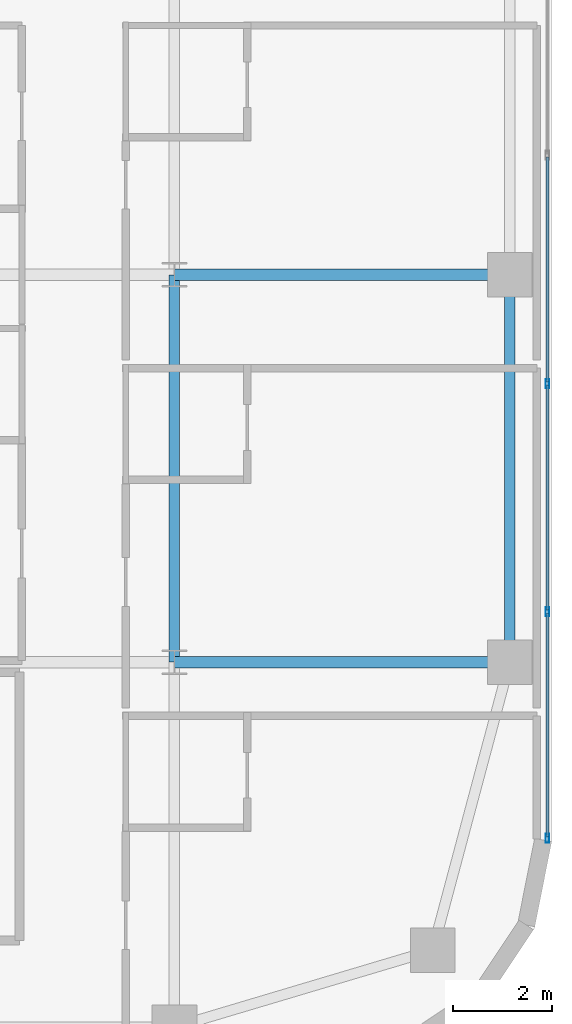
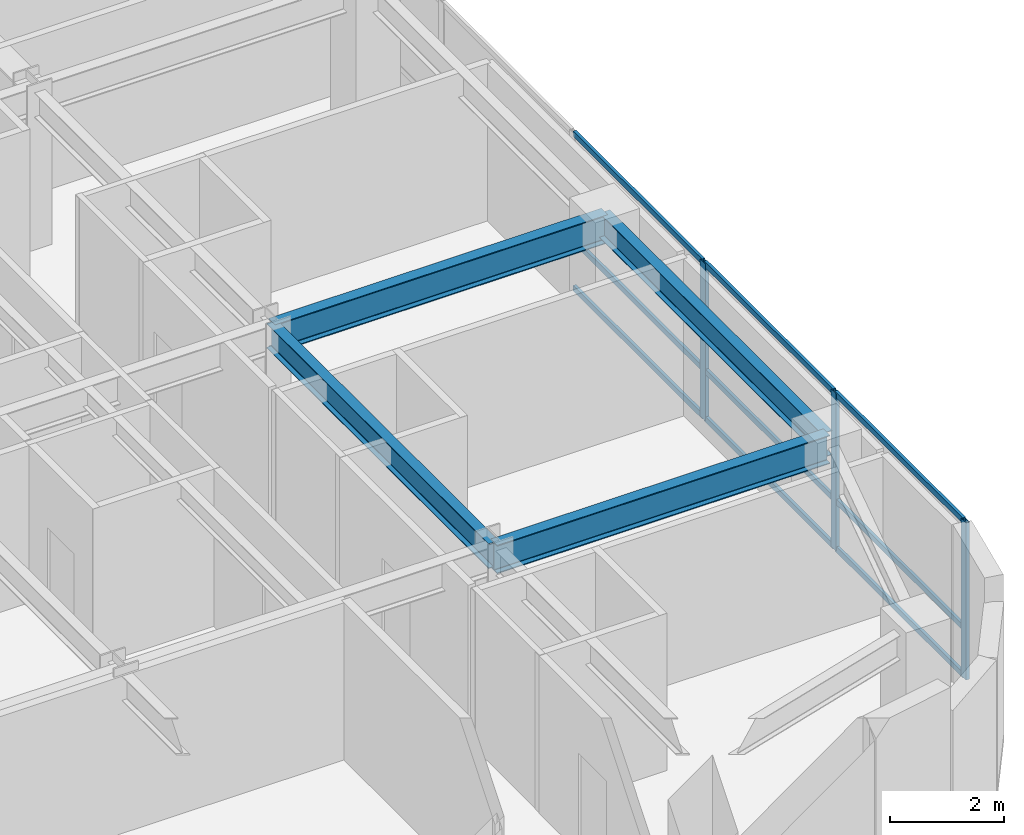
# One storey, part 9 of 25: 12 members, 4 beams, 1 element without a shape of its own.
"""IFC4 building model written with IfcOpenShell, lengths in metres."""

from ifc_helpers import new_model, si_unit, direction, frame, origin, origin_2d, place, context, subcontext, project, spatial, hollow_rectangle, i_section, extrude, source, transform, mapped, material, layer, layer_set, material_profile, profile_set, type_object, type_shapes, element, aggregate, save


model = new_model("IFC4")

# Units and contexts
model_context = context("Model", 3, precision=1e-05, world=origin(), true_north=direction((0.0, 1.0)))
body_context = subcontext(model_context, "Body", "Model", "MODEL_VIEW")
ifc_project = project(units=[si_unit("LENGTHUNIT", "METRE"), si_unit("AREAUNIT", "SQUARE_METRE"), si_unit("VOLUMEUNIT", "CUBIC_METRE"), si_unit("PLANEANGLEUNIT", "RADIAN"), si_unit("MASSUNIT", "GRAM", prefix="KILO")], contexts=[model_context])

# Site, building, storey
site_placement = place(None, origin())
site = spatial("IfcSite", under=ifc_project, at=site_placement, CompositionType="ELEMENT")
building_placement = place(site_placement, origin())
building = spatial("IfcBuilding", under=site, at=building_placement, Name="Tolvann Quenvar Hotel", CompositionType="ELEMENT")
storey_placement = place(building_placement, frame((0.0, 0.0, 78.14990234375)))
storey = spatial("IfcBuildingStorey", under=building, at=storey_placement, Name="L19", CompositionType="ELEMENT", Elevation=78.14990234375)

# Beams
ifc_material_1 = material(Name="Steel Grade 350", Category="steel")
ifc_material_profile_1 = material_profile(ifc_material_1, i_section(OverallWidth=0.22900390625, OverallDepth=0.612060546875, WebThickness=0.011962890625, FlangeThickness=0.01953125, FilletRadius=0.013916015625, at=origin_2d()), Name="610UB125")
ifc_profile_set_1 = profile_set([ifc_material_profile_1], Name="Steel Grade 350")
beam_type_1 = type_object("IfcBeamType", Name="BM_GIRD_610UB125", PredefinedType="BEAM", material=ifc_profile_set_1)
shared_shape_1 = source(origin(), body_context, "Body", "SweptSolid", [
    extrude(i_section(OverallWidth=0.22900390625, OverallDepth=0.612060546875, WebThickness=0.011962890625, FlangeThickness=0.01953125, FilletRadius=0.013916015625, at=origin_2d()), origin(), (0.0, 0.0, 1.0), 6.75),
])
type_shapes(beam_type_1, [shared_shape_1])
for number, where, z_axis, x_axis, name in (
    (1, (49.39990234375, 8.199951171875, 3.064208984375), (1.0, 0.0, 0.0), (0.0, 1.0, 0.0), "BM-L19-EW-3-I3-J3"),
    (2, (49.39990234375, 16.0, 3.064208984375), (1.0, 0.0, 0.0), (0.0, 1.0, 0.0), "BM-L19-EW-4-I4-J4"),
):
    element("IfcBeam", number, at=place(storey_placement, frame(where, z_axis=z_axis, x_axis=x_axis)), inside=storey, type_object=beam_type_1, Name=name, PredefinedType="BEAM", context=body_context, shape_type="MappedRepresentation", body=[
        mapped(shared_shape_1, transform((0.0, 0.0, 0.0), x_axis=(1.0, 0.0, 0.0), y_axis=(0.0, 1.0, 0.0), z_axis=(0.0, 0.0, 1.0), scale=1.0)),
    ])
ifc_material_profile_2 = material_profile(ifc_material_1, i_section(OverallWidth=0.208984375, OverallDepth=0.528076171875, WebThickness=0.009521484375, FlangeThickness=0.01318359375, FilletRadius=0.013916015625, at=origin_2d()), Name="530UB82")
ifc_profile_set_2 = profile_set([ifc_material_profile_2], Name="Steel Grade 350")
beam_type_2 = type_object("IfcBeamType", Name="BM_SPAND_530UB82", PredefinedType="SPANDREL", material=ifc_profile_set_2)
shared_shape_2 = source(origin(), body_context, "Body", "SweptSolid", [
    extrude(i_section(OverallWidth=0.208984375, OverallDepth=0.528076171875, WebThickness=0.009521484375, FlangeThickness=0.01318359375, FilletRadius=0.013916015625, at=origin_2d()), origin(), (0.0, 0.0, 1.0), 7.800048828125),
])
type_shapes(beam_type_2, [shared_shape_2])
beam_1_placement = place(storey_placement, frame((56.14990234375, 8.199951171875, 3.106201171875), z_axis=(0.0, 1.0, 0.0), x_axis=(-1.0, 0.0, 0.0)))
element("IfcBeam", 3, at=beam_1_placement, inside=storey, type_object=beam_type_2, Name="BM-L19-NS-J3-J4", PredefinedType="SPANDREL", context=body_context, shape_type="MappedRepresentation", body=[
    mapped(shared_shape_2, transform((0.0, 0.0, 0.0), x_axis=(1.0, 0.0, 0.0), y_axis=(0.0, 1.0, 0.0), z_axis=(0.0, 0.0, 1.0), scale=1.0)),
])
ifc_material_profile_3 = material_profile(ifc_material_1, i_section(OverallWidth=0.208984375, OverallDepth=0.532958984375, WebThickness=0.01025390625, FlangeThickness=0.015625, FilletRadius=0.013916015625, at=origin_2d()), Name="530UB92")
ifc_profile_set_3 = profile_set([ifc_material_profile_3], Name="Steel Grade 350")
beam_type_3 = type_object("IfcBeamType", Name="BM_GIRD_530UB92", PredefinedType="BEAM", material=ifc_profile_set_3)
shared_shape_3 = source(origin(), body_context, "Body", "SweptSolid", [
    extrude(i_section(OverallWidth=0.208984375, OverallDepth=0.532958984375, WebThickness=0.01025390625, FlangeThickness=0.015625, FilletRadius=0.013916015625, at=origin_2d()), origin(), (0.0, 0.0, 1.0), 7.800048828125),
])
type_shapes(beam_type_3, [shared_shape_3])
beam_2_placement = place(storey_placement, frame((49.39990234375, 8.199951171875, 3.103515625), z_axis=(0.0, 1.0, 0.0), x_axis=(-1.0, 0.0, 0.0)))
element("IfcBeam", 4, at=beam_2_placement, inside=storey, type_object=beam_type_3, Name="BM-L19-NS-I3-I4", PredefinedType="BEAM", context=body_context, shape_type="MappedRepresentation", body=[
    mapped(shared_shape_3, transform((0.0, 0.0, 0.0), x_axis=(1.0, 0.0, 0.0), y_axis=(0.0, 1.0, 0.0), z_axis=(0.0, 0.0, 1.0), scale=1.0)),
])

# Curtain wall, members
ifc_material_2 = material(Name="Thermally broken anodised architectural aluminium 6063-T6 and laminated low-E glass", Category="aluminium")
ifc_layer = layer(ifc_material_2, 0.179931640625)
ifc_layer_set = layer_set([ifc_layer], Name="Thermally broken anodised architectural aluminium 6063-T6 and laminated low-E glass")
curtain_wall_type = type_object("IfcCurtainWallType", Name="CW_SYS_BAND_04", PredefinedType="USERDEFINED", material=ifc_layer_set)
curtain_wall_placement = place(storey_placement, origin())
curtain_wall = element("IfcCurtainWall", 5, at=curtain_wall_placement, inside=storey, type_object=curtain_wall_type, Name="Curtain Wall CW-BAND-04 (CWR-L19-E13)", ObjectType="UNITISED CURTAIN WALL", PredefinedType="USERDEFINED")
ifc_material_3 = material(Name="Anodised architectural aluminium 6063-T6 framing", Category="aluminium")
ifc_material_profile_4 = material_profile(ifc_material_3, hollow_rectangle(XDim=0.070068359375, YDim=0.179931640625, WallThickness=0.00390625, at=origin_2d()), Name="180x70x4RHS")
ifc_profile_set_4 = profile_set([ifc_material_profile_4], Name="Anodised architectural aluminium 6063-T6 framing")
member_type_1 = type_object("IfcMemberType", Name="CW_MULL_180x70", PredefinedType="MULLION", material=ifc_profile_set_4)
shared_shape_4 = source(origin(), body_context, "Body", "SweptSolid", [
    extrude(hollow_rectangle(XDim=0.070068359375, YDim=0.179931640625, WallThickness=0.00390625, at=origin_2d()), origin(), (0.0, 0.0, 1.0), 3.3701171875),
])
type_shapes(member_type_1, [shared_shape_4])
member_1_placement = place(storey_placement, frame((56.909912109375, 4.652099609375, 0.0), z_axis=(0.0, 0.0, 1.0), x_axis=(-1.0, 0.0, 0.0)))
member_1 = element("IfcMember", 6, at=member_1_placement, type_object=member_type_1, Name="CW-BAND-04 mullion 1", PredefinedType="MULLION", context=body_context, shape_type="MappedRepresentation", body=[
    mapped(shared_shape_4, transform((0.0, 0.0, 0.0), x_axis=(1.0, 0.0, 0.0), y_axis=(0.0, 1.0, 0.0), z_axis=(0.0, 0.0, 1.0), scale=1.0)),
])
member_2_placement = place(storey_placement, frame((56.909912109375, 9.212890625, 0.0), z_axis=(0.0, 0.0, 1.0), x_axis=(-1.0, 0.0, 0.0)))
member_2 = element("IfcMember", 7, at=member_2_placement, type_object=member_type_1, Name="CW-BAND-04 mullion 2", PredefinedType="MULLION", context=body_context, shape_type="MappedRepresentation", body=[
    mapped(shared_shape_4, transform((0.0, 0.0, 0.0), x_axis=(1.0, 0.0, 0.0), y_axis=(0.0, 1.0, 0.0), z_axis=(0.0, 0.0, 1.0), scale=1.0)),
])
member_3_placement = place(storey_placement, frame((56.909912109375, 13.80859375, 0.0), z_axis=(0.0, 0.0, 1.0), x_axis=(-1.0, 0.0, 0.0)))
member_3 = element("IfcMember", 8, at=member_3_placement, type_object=member_type_1, Name="CW-BAND-04 mullion 3", PredefinedType="MULLION", context=body_context, shape_type="MappedRepresentation", body=[
    mapped(shared_shape_4, transform((0.0, 0.0, 0.0), x_axis=(1.0, 0.0, 0.0), y_axis=(0.0, 1.0, 0.0), z_axis=(0.0, 0.0, 1.0), scale=1.0)),
])
ifc_material_profile_5 = material_profile(ifc_material_3, hollow_rectangle(XDim=0.06005859375, YDim=0.1201171875, WallThickness=0.00341796875, at=origin_2d()), Name="120x60x3.5RHS")
ifc_profile_set_5 = profile_set([ifc_material_profile_5], Name="Anodised architectural aluminium 6063-T6 framing")
member_type_2 = type_object("IfcMemberType", Name="CW_TRAN_120x60", PredefinedType="USERDEFINED", material=ifc_profile_set_5)
shared_shape_5 = source(origin(), body_context, "Body", "SweptSolid", [
    extrude(hollow_rectangle(XDim=0.06005859375, YDim=0.1201171875, WallThickness=0.00341796875, at=origin_2d()), origin(), (0.0, 0.0, 1.0), 4.49072265625),
])
member_4_placement = place(storey_placement, frame((56.909912109375, 4.687255859375, 0.030029296875), z_axis=(0.0, 1.0, 0.0), x_axis=(-1.0, 0.0, 0.0)))
member_4 = element("IfcMember", 9, at=member_4_placement, type_object=member_type_2, Name="CW-BAND-04 transom 1.1", ObjectType="TRANSOM", PredefinedType="USERDEFINED", context=body_context, shape_type="MappedRepresentation", body=[
    mapped(shared_shape_5, transform((0.0, 0.0, 0.0), x_axis=(1.0, 0.0, 0.0), y_axis=(0.0, 1.0, 0.0), z_axis=(0.0, 0.0, 1.0), scale=1.0)),
])
member_5_placement = place(storey_placement, frame((56.909912109375, 4.687255859375, 1.050048828125), z_axis=(0.0, 1.0, 0.0), x_axis=(-1.0, 0.0, 0.0)))
member_5 = element("IfcMember", 10, at=member_5_placement, type_object=member_type_2, Name="CW-BAND-04 transom 1.2", ObjectType="TRANSOM", PredefinedType="USERDEFINED", context=body_context, shape_type="MappedRepresentation", body=[
    mapped(shared_shape_5, transform((0.0, 0.0, 0.0), x_axis=(1.0, 0.0, 0.0), y_axis=(0.0, 1.0, 0.0), z_axis=(0.0, 0.0, 1.0), scale=1.0)),
])
member_6_placement = place(storey_placement, frame((56.909912109375, 4.687255859375, 3.340087890625), z_axis=(0.0, 1.0, 0.0), x_axis=(-1.0, 0.0, 0.0)))
member_6 = element("IfcMember", 11, at=member_6_placement, type_object=member_type_2, Name="CW-BAND-04 transom 1.3", ObjectType="TRANSOM", PredefinedType="USERDEFINED", context=body_context, shape_type="MappedRepresentation", body=[
    mapped(shared_shape_5, transform((0.0, 0.0, 0.0), x_axis=(1.0, 0.0, 0.0), y_axis=(0.0, 1.0, 0.0), z_axis=(0.0, 0.0, 1.0), scale=1.0)),
])
shared_shape_6 = source(origin(), body_context, "Body", "SweptSolid", [
    extrude(hollow_rectangle(XDim=0.06005859375, YDim=0.1201171875, WallThickness=0.00341796875, at=origin_2d()), origin(), (0.0, 0.0, 1.0), 4.52587890625),
])
type_shapes(member_type_2, [shared_shape_5, shared_shape_6])
member_7_placement = place(storey_placement, frame((56.909912109375, 9.247802734375, 0.030029296875), z_axis=(0.0, 1.0, 0.0), x_axis=(-1.0, 0.0, 0.0)))
member_7 = element("IfcMember", 12, at=member_7_placement, type_object=member_type_2, Name="CW-BAND-04 transom 2.1", ObjectType="TRANSOM", PredefinedType="USERDEFINED", context=body_context, shape_type="MappedRepresentation", body=[
    mapped(shared_shape_6, transform((0.0, 0.0, 0.0), x_axis=(1.0, 0.0, 0.0), y_axis=(0.0, 1.0, 0.0), z_axis=(0.0, 0.0, 1.0), scale=1.0)),
])
member_8_placement = place(storey_placement, frame((56.909912109375, 9.247802734375, 1.050048828125), z_axis=(0.0, 1.0, 0.0), x_axis=(-1.0, 0.0, 0.0)))
member_8 = element("IfcMember", 13, at=member_8_placement, type_object=member_type_2, Name="CW-BAND-04 transom 2.2", ObjectType="TRANSOM", PredefinedType="USERDEFINED", context=body_context, shape_type="MappedRepresentation", body=[
    mapped(shared_shape_6, transform((0.0, 0.0, 0.0), x_axis=(1.0, 0.0, 0.0), y_axis=(0.0, 1.0, 0.0), z_axis=(0.0, 0.0, 1.0), scale=1.0)),
])
member_9_placement = place(storey_placement, frame((56.909912109375, 9.247802734375, 3.340087890625), z_axis=(0.0, 1.0, 0.0), x_axis=(-1.0, 0.0, 0.0)))
member_9 = element("IfcMember", 14, at=member_9_placement, type_object=member_type_2, Name="CW-BAND-04 transom 2.3", ObjectType="TRANSOM", PredefinedType="USERDEFINED", context=body_context, shape_type="MappedRepresentation", body=[
    mapped(shared_shape_6, transform((0.0, 0.0, 0.0), x_axis=(1.0, 0.0, 0.0), y_axis=(0.0, 1.0, 0.0), z_axis=(0.0, 0.0, 1.0), scale=1.0)),
])
member_10_placement = place(storey_placement, frame((56.909912109375, 13.843505859375, 0.030029296875), z_axis=(0.0, 1.0, 0.0), x_axis=(-1.0, 0.0, 0.0)))
member_10 = element("IfcMember", 15, at=member_10_placement, type_object=member_type_2, Name="CW-BAND-04 transom 3.1", ObjectType="TRANSOM", PredefinedType="USERDEFINED", context=body_context, shape_type="MappedRepresentation", body=[
    mapped(shared_shape_6, transform((0.0, 0.0, 0.0), x_axis=(1.0, 0.0, 0.0), y_axis=(0.0, 1.0, 0.0), z_axis=(0.0, 0.0, 1.0), scale=1.0)),
])
member_11_placement = place(storey_placement, frame((56.909912109375, 13.843505859375, 1.050048828125), z_axis=(0.0, 1.0, 0.0), x_axis=(-1.0, 0.0, 0.0)))
member_11 = element("IfcMember", 16, at=member_11_placement, type_object=member_type_2, Name="CW-BAND-04 transom 3.2", ObjectType="TRANSOM", PredefinedType="USERDEFINED", context=body_context, shape_type="MappedRepresentation", body=[
    mapped(shared_shape_6, transform((0.0, 0.0, 0.0), x_axis=(1.0, 0.0, 0.0), y_axis=(0.0, 1.0, 0.0), z_axis=(0.0, 0.0, 1.0), scale=1.0)),
])
member_12_placement = place(storey_placement, frame((56.909912109375, 13.843505859375, 3.340087890625), z_axis=(0.0, 1.0, 0.0), x_axis=(-1.0, 0.0, 0.0)))
member_12 = element("IfcMember", 17, at=member_12_placement, type_object=member_type_2, Name="CW-BAND-04 transom 3.3", ObjectType="TRANSOM", PredefinedType="USERDEFINED", context=body_context, shape_type="MappedRepresentation", body=[
    mapped(shared_shape_6, transform((0.0, 0.0, 0.0), x_axis=(1.0, 0.0, 0.0), y_axis=(0.0, 1.0, 0.0), z_axis=(0.0, 0.0, 1.0), scale=1.0)),
])
aggregate(curtain_wall, [member_1, member_2, member_3, member_4, member_5, member_6, member_7, member_8, member_9, member_10, member_11, member_12])

save(model, "model.ifc")
